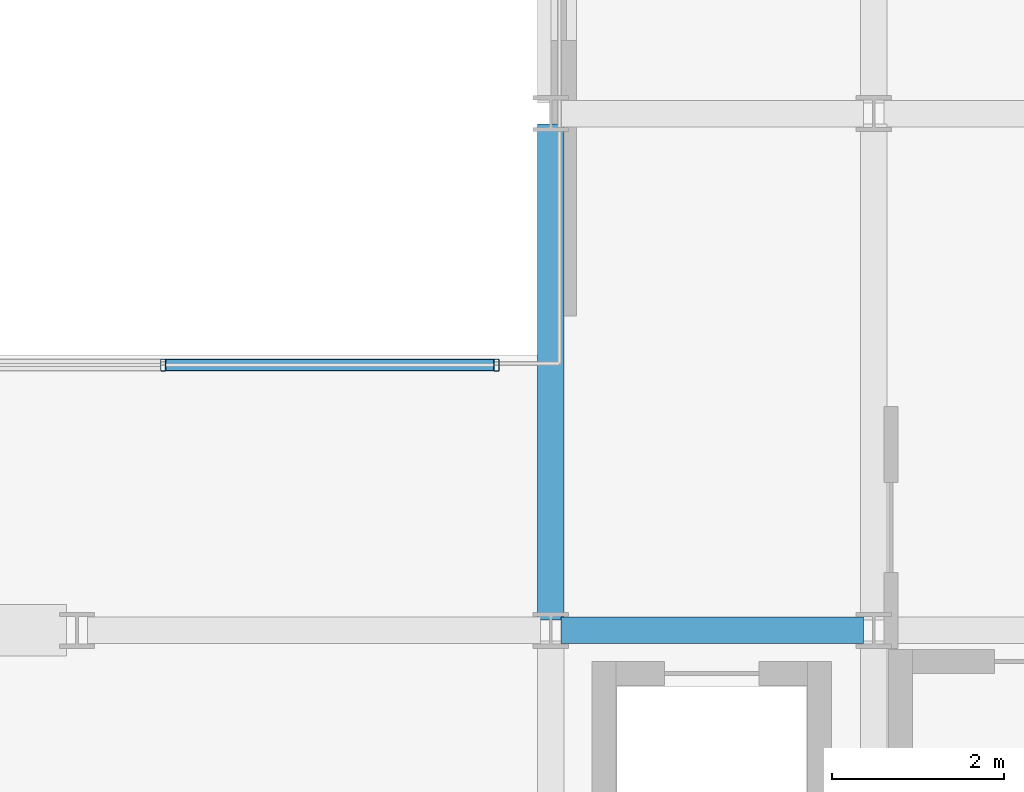
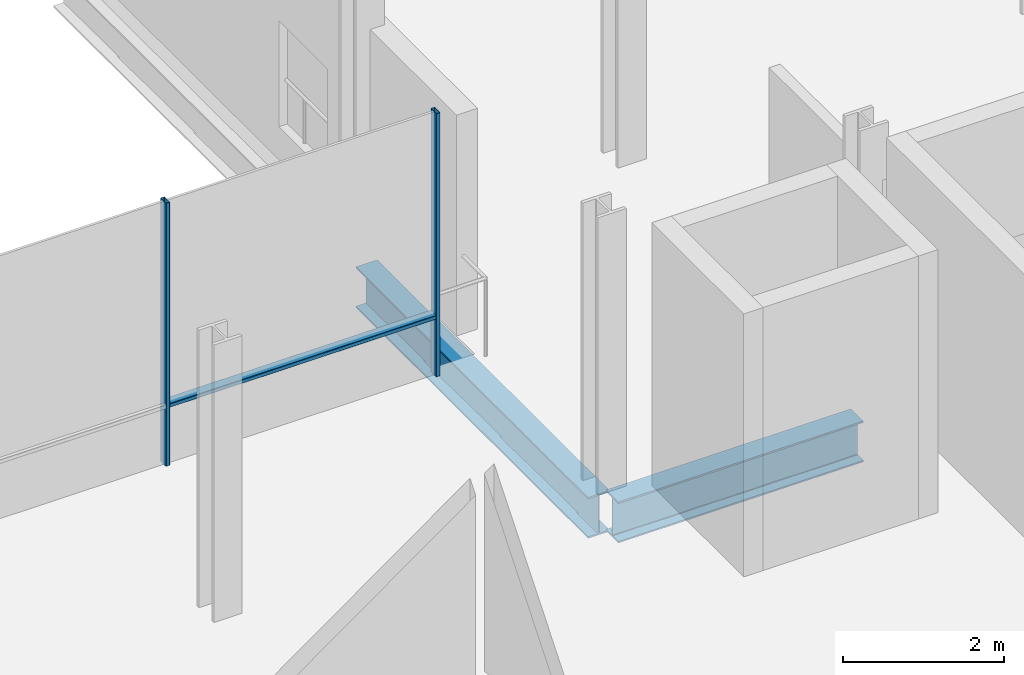
# One storey, part 13 of 32: 3 members, 2 beams, 1 element without a shape of its own.
"""IFC4 building model written with IfcOpenShell, lengths in metres."""

import ifcopenshell
import ifcopenshell.guid

model = None  # the IFC model being written
_history = None  # IfcOwnerHistory: only IFC2X3 demands one
_inside = {}  # id of a spatial element -> (the spatial element, [elements in it])
_under = {}  # id of a project, library or spatial element -> (it, [spatial elements below it])
_declared = {}  # id of a project -> (the project, [libraries it declares])
_typed = {}  # id of a type object -> (the type object, [elements of that type])
_made_of = {}  # id of a material, layer set ... -> (it, [elements and type objects made of it])


def new_model(schema):
    """Start an empty IFC model of exactly this schema.

    Asked for "IFC4X3", IfcOpenShell would pick the latest addendum, in which some entities
    have other attributes; the version numbers below select the first issue.
    IFC2X3 requires an IfcOwnerHistory on every rooted entity: one is made here for all.
    """
    global model, _history
    if schema == "IFC4X3":
        model = ifcopenshell.file(schema_version=(4, 3, 0, 0))
    else:
        model = ifcopenshell.file(schema=schema)
    _inside.clear()
    _under.clear()
    _declared.clear()
    _typed.clear()
    _made_of.clear()
    _history = None
    if model.schema == "IFC2X3":
        org = make("IfcOrganization", Name="unknown")
        user = make(
            "IfcPersonAndOrganization",
            ThePerson=make("IfcPerson", FamilyName="unknown"),
            TheOrganization=org,
        )
        app = make(
            "IfcApplication",
            ApplicationDeveloper=org,
            Version="unknown",
            ApplicationFullName="unknown",
            ApplicationIdentifier="unknown",
        )
        _history = make(
            "IfcOwnerHistory",
            OwningUser=user,
            OwningApplication=app,
            ChangeAction="ADDED",
            CreationDate=0,
        )
    return model


def make(cls, **values):
    """One entity of the class cls with the attributes given. An attribute that is None is left unset."""
    return model.create_entity(
        cls, **{name: value for name, value in values.items() if value is not None}
    )


def rooted(cls, **values):
    """An entity with a GlobalId (a new one), such as an element, a storey or a relation."""
    return make(cls, GlobalId=ifcopenshell.guid.new(), OwnerHistory=_history, **values)


def si_unit(unit_type, name, prefix=None):
    """IfcSIUnit, for example si_unit("LENGTHUNIT", "METRE", prefix="MILLI")."""
    return make("IfcSIUnit", UnitType=unit_type, Prefix=prefix, Name=name)


def assignment(units):
    """IfcUnitAssignment: the units of a project."""
    return None if units is None else make("IfcUnitAssignment", Units=units)


def point(xyz):
    """IfcCartesianPoint."""
    return None if xyz is None else make("IfcCartesianPoint", Coordinates=xyz)


def direction(xyz):
    """IfcDirection."""
    return None if xyz is None else make("IfcDirection", DirectionRatios=xyz)


def frame(location, z_axis=None, x_axis=None):
    """IfcAxis2Placement3D, a coordinate frame: its origin and axes. An axis left out is left unset."""
    return make(
        "IfcAxis2Placement3D",
        Location=point(location),
        Axis=direction(z_axis),
        RefDirection=direction(x_axis),
    )


def frame_2d(location, x_axis=None):
    """IfcAxis2Placement2D, a coordinate frame in the plane: its origin and x axis."""
    return make(
        "IfcAxis2Placement2D", Location=point(location), RefDirection=direction(x_axis)
    )


def origin():
    """The frame at (0, 0, 0) with its axes left unset."""
    return frame((0.0, 0.0, 0.0))


def origin_2d():
    """The frame at (0, 0) in the plane with its x axis left unset."""
    return frame_2d((0.0, 0.0))


def place(relative_to, where):
    """IfcLocalPlacement: puts the frame where relative to a parent placement (None: the world)."""
    return make(
        "IfcLocalPlacement", PlacementRelTo=relative_to, RelativePlacement=where
    )


def context(
    kind, dimensions, precision=None, world=None, true_north=None, identifier=None
):
    """IfcGeometricRepresentationContext, for example the 3D "Model" context."""
    return make(
        "IfcGeometricRepresentationContext",
        ContextIdentifier=identifier,
        ContextType=kind,
        CoordinateSpaceDimension=dimensions,
        Precision=precision,
        WorldCoordinateSystem=world,
        TrueNorth=true_north,
    )


def subcontext(parent, identifier, kind, view, scale=None):
    """IfcGeometricRepresentationSubContext, for example "Body" below "Model"."""
    return make(
        "IfcGeometricRepresentationSubContext",
        ContextIdentifier=identifier,
        ContextType=kind,
        ParentContext=parent,
        TargetScale=scale,
        TargetView=view,
    )


def project(units=None, contexts=None):
    """IfcProject with its units and contexts."""
    return rooted(
        "IfcProject",
        Name="project",
        RepresentationContexts=contexts,
        UnitsInContext=assignment(units),
    )


def spatial(cls, under=None, at=None, **own):
    """A site, building, storey or space (cls), placed at a placement, below another one or the project."""
    s = rooted(cls, ObjectPlacement=at, **own)
    if under is not None:
        _under.setdefault(under.id(), (under, []))[1].append(s)
    return s


def profile(cls, at=None, kind="AREA", **sizes):
    """A parametric profile (cls). Its sizes go by their IFC names, for example OverallWidth=200.0."""
    return make(cls, ProfileType=kind, Position=at, **sizes)


def hollow_rectangle(**sizes):
    """IfcRectangleHollowProfileDef."""
    return profile("IfcRectangleHollowProfileDef", **sizes)


def i_section(**sizes):
    """IfcIShapeProfileDef."""
    return profile("IfcIShapeProfileDef", **sizes)


def extrude(swept, where, along, depth):
    """IfcExtrudedAreaSolid: the profile swept, set in the frame where, extruded along a direction by depth."""
    return make(
        "IfcExtrudedAreaSolid",
        SweptArea=swept,
        Position=where,
        ExtrudedDirection=direction(along),
        Depth=depth,
    )


def shape(context_of_items, identifier, shape_type, items):
    """IfcShapeRepresentation: the items that make up one representation, for example the "Body"."""
    return make(
        "IfcShapeRepresentation",
        ContextOfItems=context_of_items,
        RepresentationIdentifier=identifier,
        RepresentationType=shape_type,
        Items=items,
    )


def material(Name=None, Category=None):
    """IfcMaterial."""
    return make("IfcMaterial", Name=Name, Category=Category)


def layer(
    of_material, thickness, ventilated=None, Name=None, Category=None, Priority=None
):
    """IfcMaterialLayer: one layer of a wall or slab, of a material (None: an air gap)."""
    return make(
        "IfcMaterialLayer",
        Material=of_material,
        LayerThickness=thickness,
        IsVentilated=ventilated,
        Name=Name,
        Category=Category,
        Priority=Priority,
    )


def layer_set(layers, Name=None):
    """IfcMaterialLayerSet."""
    return make("IfcMaterialLayerSet", MaterialLayers=layers, LayerSetName=Name)


def material_profile(
    of_material, cross_section, Name=None, Category=None, Priority=None
):
    """IfcMaterialProfile: a cross section and its material."""
    return make(
        "IfcMaterialProfile",
        Name=Name,
        Material=of_material,
        Profile=cross_section,
        Priority=Priority,
        Category=Category,
    )


def profile_set(profiles, Name=None, composite=None):
    """IfcMaterialProfileSet."""
    return make(
        "IfcMaterialProfileSet",
        Name=Name,
        MaterialProfiles=profiles,
        CompositeProfile=composite,
    )


def made_of(thing, what):
    """Note that an element or type object is made of a material, layer set ...; save() writes the relation."""
    if what is not None:
        _made_of.setdefault(what.id(), (what, []))[1].append(thing)
    return thing


def type_object(cls, material=None, **own):
    """A type object (cls), such as IfcWallType, which elements share."""
    return made_of(rooted(cls, **own), material)


def element(
    cls,
    number,
    at=None,
    inside=None,
    cuts=None,
    type_object=None,
    material=None,
    context=None,
    identifier="Body",
    shape_type=None,
    held_by="IfcProductDefinitionShape",
    body=None,
    shapes=None,
    **own,
):
    """One element of the class cls, such as IfcWall. Its Tag is "e" and its number.

    at: its placement. inside: the storey or other place that contains it. cuts: it is an
    opening in that element (IfcRelVoidsElement). A single representation is given by context,
    identifier, shape_type and body (its items); several are given by shapes. held_by: the class
    of the entity that holds the representations. save() writes the other relations.
    """
    e = rooted(cls, Tag="e%d" % number, ObjectPlacement=at, **own)
    if body is not None:
        shapes = [shape(context, identifier, shape_type, body)]
    if shapes is not None:
        e.Representation = make(held_by, Representations=shapes)
    if inside is not None:
        _inside.setdefault(inside.id(), (inside, []))[1].append(e)
    if cuts is not None:
        rooted(
            "IfcRelVoidsElement", RelatingBuildingElement=cuts, RelatedOpeningElement=e
        )
    if type_object is not None:
        _typed.setdefault(type_object.id(), (type_object, []))[1].append(e)
    return made_of(e, material)


def aggregate(whole, parts):
    """IfcRelAggregates: a whole, such as a stair, and the parts it consists of."""
    return rooted("IfcRelAggregates", RelatingObject=whole, RelatedObjects=parts)


def save(model, path):
    """Write the relations noted so far, then the file.

    IfcRelAggregates (storeys below a building ...), IfcRelContainedInSpatialStructure (elements
    in a storey), IfcRelDefinesByType, IfcRelAssociatesMaterial and IfcRelDeclares: one each for
    every whole, place, type object, material and project.
    """
    for whole, parts in _under.values():
        aggregate(whole, parts)
    for where, things in _inside.values():
        rooted(
            "IfcRelContainedInSpatialStructure",
            RelatedElements=things,
            RelatingStructure=where,
        )
    for kind, things in _typed.values():
        rooted("IfcRelDefinesByType", RelatedObjects=things, RelatingType=kind)
    for what, things in _made_of.values():
        rooted("IfcRelAssociatesMaterial", RelatedObjects=things, RelatingMaterial=what)
    for by, libraries in _declared.values():
        rooted("IfcRelDeclares", RelatingContext=by, RelatedDefinitions=libraries)
    model.write(path)


model = new_model("IFC4")

# Units and contexts
model_context = context("Model", 3, precision=1e-05, world=origin(), true_north=direction((0.0, 1.0)))
body_context = subcontext(model_context, "Body", "Model", "MODEL_VIEW")
ifc_project = project(units=[si_unit("LENGTHUNIT", "METRE"), si_unit("AREAUNIT", "SQUARE_METRE"), si_unit("VOLUMEUNIT", "CUBIC_METRE"), si_unit("PLANEANGLEUNIT", "RADIAN"), si_unit("MASSUNIT", "GRAM", prefix="KILO")], contexts=[model_context])

# Site, building, storey
site_placement = place(None, origin())
site = spatial("IfcSite", under=ifc_project, at=site_placement, CompositionType="ELEMENT")
building_placement = place(site_placement, origin())
building = spatial("IfcBuilding", under=site, at=building_placement, Name="Brevholm Reach", CompositionType="ELEMENT")
storey_placement = place(building_placement, frame((0.0, 0.0, 134.5)))
storey = spatial("IfcBuildingStorey", under=building, at=storey_placement, Name="L40", CompositionType="ELEMENT", Elevation=134.5)

# Beams
ifc_material_1 = material(Name="Structural Steel S355J2", Category="steel")
ifc_material_profile_1 = material_profile(ifc_material_1, i_section(OverallWidth=0.30712890625, OverallDepth=0.6201171875, WebThickness=0.01416015625, FlangeThickness=0.023681640625, FilletRadius=0.0166015625, at=origin_2d()), Name="UKB 610x305x179")
ifc_profile_set_1 = profile_set([ifc_material_profile_1], Name="Structural Steel S355J2")
beam_type = type_object("IfcBeamType", Name="BM-UKB610H", PredefinedType="USERDEFINED", material=ifc_profile_set_1)
beam_1_placement = place(storey_placement, frame((38.3701171875, 10.0, -0.56005859375), z_axis=(1.0, 0.0, 0.0), x_axis=(0.0, 1.0, 0.0)))
element("IfcBeam", 1, at=beam_1_placement, inside=storey, type_object=beam_type, Name="L40 G-06 Framing Beam", ObjectType="GIRDER", PredefinedType="USERDEFINED", context=body_context, shape_type="SweptSolid", body=[
    extrude(i_section(OverallWidth=0.30712890625, OverallDepth=0.6201171875, WebThickness=0.01416015625, FlangeThickness=0.023681640625, FilletRadius=0.0166015625, at=origin_2d()), origin(), (0.0, 0.0, 1.0), 3.509765625),
])
beam_2_placement = place(storey_placement, frame((38.25, 10.1201171875, -0.56005859375), z_axis=(0.0, 1.0, 0.0), x_axis=(-1.0, 0.0, 0.0)))
element("IfcBeam", 2, at=beam_2_placement, inside=storey, type_object=beam_type, Name="L40 G-06 Framing Beam", ObjectType="GIRDER", PredefinedType="USERDEFINED", context=body_context, shape_type="SweptSolid", body=[
    extrude(i_section(OverallWidth=0.30712890625, OverallDepth=0.6201171875, WebThickness=0.01416015625, FlangeThickness=0.023681640625, FilletRadius=0.0166015625, at=origin_2d()), origin(), (0.0, 0.0, 1.0), 5.759765625),
])

# Curtain wall, members
ifc_material_2 = material(Name="Dark Anodised Aluminium 6063-T6 and Solar-Control Glass", Category="aluminium")
ifc_layer = layer(ifc_material_2, 0.139892578125)
ifc_layer_set = layer_set([ifc_layer], Name="Dark Anodised Aluminium 6063-T6 and Solar-Control Glass")
curtain_wall_type = type_object("IfcCurtainWallType", Name="CW-02", PredefinedType="NOTDEFINED", material=ifc_layer_set)
curtain_wall_placement = place(storey_placement, origin())
curtain_wall = element("IfcCurtainWall", 3, at=curtain_wall_placement, inside=storey, type_object=curtain_wall_type, Name="L40 Curtain Wall CW-02", PredefinedType="NOTDEFINED")
ifc_material_3 = material(Name="Dark Anodised Aluminium 6063-T6", Category="aluminium")
ifc_material_profile_2 = material_profile(ifc_material_3, hollow_rectangle(XDim=0.06005859375, YDim=0.139892578125, WallThickness=0.0048828125, InnerFilletRadius=0.0048828125, OuterFilletRadius=0.010009765625, at=origin_2d()), Name="RHS 140x60x5")
ifc_profile_set_2 = profile_set([ifc_material_profile_2], Name="Dark Anodised Aluminium 6063-T6")
member_type_1 = type_object("IfcMemberType", Name="CWM-140", PredefinedType="MULLION", material=ifc_profile_set_2)
member_1_placement = place(storey_placement, frame((33.75, 13.080078125, 0.0), z_axis=(0.0, 0.0, 1.0), x_axis=(1.0, 0.0, 0.0)))
member_1 = element("IfcMember", 4, at=member_1_placement, type_object=member_type_1, Name="CM-140 Mullion 4", PredefinedType="MULLION", context=body_context, shape_type="SweptSolid", body=[
    extrude(hollow_rectangle(XDim=0.06005859375, YDim=0.139892578125, WallThickness=0.0048828125, InnerFilletRadius=0.0048828125, OuterFilletRadius=0.010009765625, at=origin_2d()), origin(), (0.0, 0.0, 1.0), 3.97998046875),
])
member_2_placement = place(storey_placement, frame((37.6201171875, 13.080078125, 0.0), z_axis=(0.0, 0.0, 1.0), x_axis=(1.0, 0.0, 0.0)))
member_2 = element("IfcMember", 5, at=member_2_placement, type_object=member_type_1, Name="CM-140 Mullion 5", PredefinedType="MULLION", context=body_context, shape_type="SweptSolid", body=[
    extrude(hollow_rectangle(XDim=0.06005859375, YDim=0.139892578125, WallThickness=0.0048828125, InnerFilletRadius=0.0048828125, OuterFilletRadius=0.010009765625, at=origin_2d()), origin(), (0.0, 0.0, 1.0), 3.97998046875),
])
ifc_material_4 = material(Name="Dark Anodised Aluminium 6063-T6", Category="aluminium")
ifc_material_profile_3 = material_profile(ifc_material_4, hollow_rectangle(XDim=0.06005859375, YDim=0.139892578125, WallThickness=0.0048828125, InnerFilletRadius=0.0048828125, OuterFilletRadius=0.010009765625, at=origin_2d()), Name="RHS 140x60x5")
ifc_profile_set_3 = profile_set([ifc_material_profile_3], Name="Dark Anodised Aluminium 6063-T6")
member_type_2 = type_object("IfcMemberType", Name="CWT-140", PredefinedType="NOTDEFINED", material=ifc_profile_set_3)
member_3_placement = place(storey_placement, frame((33.780029296875, 13.080078125, 0.89990234375), z_axis=(1.0, 0.0, 0.0), x_axis=(0.0, 0.0, 1.0)))
member_3 = element("IfcMember", 6, at=member_3_placement, type_object=member_type_2, Name="CT-140 Transom 4.1", ObjectType="TRANSOM", PredefinedType="USERDEFINED", context=body_context, shape_type="SweptSolid", body=[
    extrude(hollow_rectangle(XDim=0.06005859375, YDim=0.139892578125, WallThickness=0.0048828125, InnerFilletRadius=0.0048828125, OuterFilletRadius=0.010009765625, at=origin_2d()), origin(), (0.0, 0.0, 1.0), 3.81005859375),
])
aggregate(curtain_wall, [member_1, member_2, member_3])

save(model, "model.ifc")
